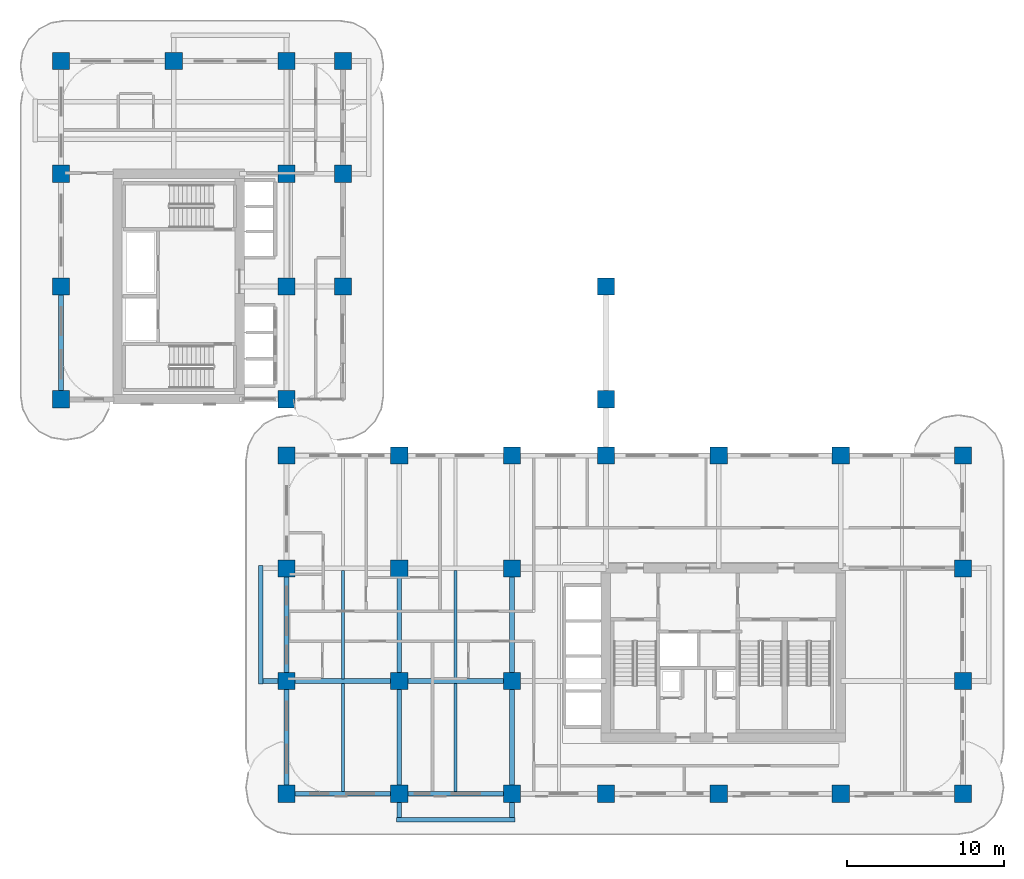
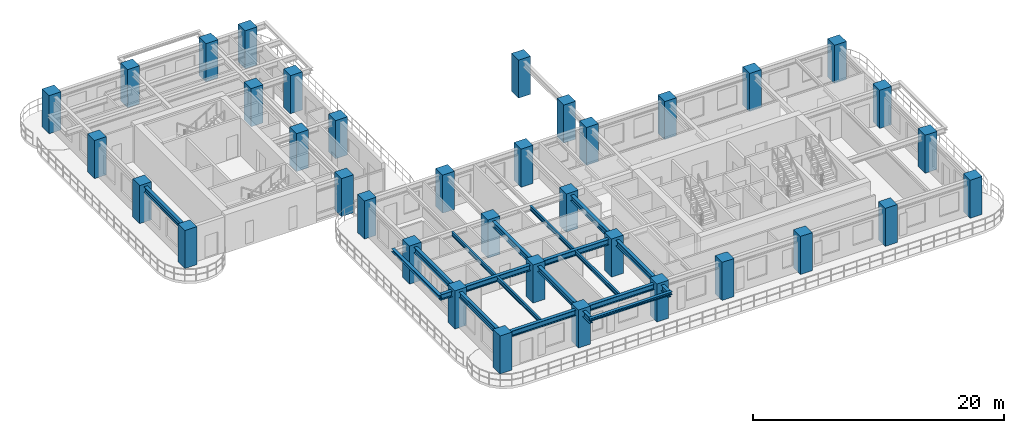
# One storey, part 1 of 19: 36 columns, 17 beams.
"""IFC4 building model written with IfcOpenShell, lengths in metres."""

from ifc_helpers import new_model, si_unit, derived_unit, direction, frame, origin, origin_2d, place, context, subcontext, project, spatial, rectangle, i_section, extrude, source, transform, mapped, material, material_profile, profile_set, type_object, type_shapes, element, save


model = new_model("IFC4")

# Units and contexts
model_context = context("Model", 3, precision=1e-05, world=origin(), true_north=direction((0.0, 1.0)))
body_context = subcontext(model_context, "Body", "Model", "MODEL_VIEW")
ifc_project = project(units=[si_unit("LENGTHUNIT", "METRE"), si_unit("AREAUNIT", "SQUARE_METRE"), si_unit("VOLUMEUNIT", "CUBIC_METRE"), si_unit("PLANEANGLEUNIT", "RADIAN"), si_unit("MASSUNIT", "GRAM", prefix="KILO"), si_unit("THERMODYNAMICTEMPERATUREUNIT", "KELVIN"), si_unit("POWERUNIT", "WATT"), derived_unit("THERMALTRANSMITTANCEUNIT", [(si_unit("POWERUNIT", "WATT"), 1), (si_unit("AREAUNIT", "SQUARE_METRE"), -1), (si_unit("THERMODYNAMICTEMPERATUREUNIT", "KELVIN"), -1)])], contexts=[model_context])

# Site, building, storey
site_placement = place(None, origin())
site = spatial("IfcSite", under=ifc_project, at=site_placement, CompositionType="ELEMENT")
building_placement = place(site_placement, origin())
building = spatial("IfcBuilding", under=site, at=building_placement, Name="Zahravan Archway Hotel and Residences", CompositionType="ELEMENT")
storey_placement = place(building_placement, frame((0.0, 0.0, 39.800048828125)))
storey = spatial("IfcBuildingStorey", under=building, at=storey_placement, Name="L08", CompositionType="ELEMENT", Elevation=39.800048828125)

# Columns
ifc_material_1 = material(Name="Concrete C70/85", Category="concrete")
ifc_material_profile_1 = material_profile(ifc_material_1, rectangle(XDim=1.10009765625, YDim=1.10009765625, at=origin_2d()), Name="RC 1100x1100", Category="concrete")
ifc_profile_set_1 = profile_set([ifc_material_profile_1], Name="Concrete C70/85")
column_type = type_object("IfcColumnType", Name="COL-RC-1100", PredefinedType="COLUMN", material=ifc_profile_set_1)
shared_shape_1 = source(origin(), body_context, "Body", "SweptSolid", [
    extrude(rectangle(XDim=1.10009765625, YDim=1.10009765625, at=origin_2d()), origin(), (0.0, 0.0, 1.0), 3.699951171875),
])
for number, where, z_axis, x_axis, name in (
    (1, (0.0, 25.199951171875, 0.0), (0.0, 0.0, 1.0), (1.0, 0.0, 0.0), "L08 Column 1-E"),
    (2, (0.0, 32.39990234375, 0.0), (0.0, 0.0, 1.0), (1.0, 0.0, 0.0), "L08 Column 1-F"),
    (3, (0.0, 39.60009765625, 0.0), (0.0, 0.0, 1.0), (1.0, 0.0, 0.0), "L08 Column 1-G"),
    (4, (0.0, 46.800048828125, 0.0), (0.0, 0.0, 1.0), (1.0, 0.0, 0.0), "L08 Column 1-H"),
    (5, (7.199951171875, 46.800048828125, 0.0), (0.0, 0.0, 1.0), (1.0, 0.0, 0.0), "L08 Column 2-H"),
    (6, (14.39990234375, 0.0, 0.0), (0.0, 0.0, 1.0), (1.0, 0.0, 0.0), "L08 Column 3-A"),
    (7, (14.39990234375, 7.199951171875, 0.0), (0.0, 0.0, 1.0), (1.0, 0.0, 0.0), "L08 Column 3-B"),
    (8, (14.39990234375, 14.39990234375, 0.0), (0.0, 0.0, 1.0), (1.0, 0.0, 0.0), "L08 Column 3-C"),
    (9, (14.39990234375, 21.60009765625, 0.0), (0.0, 0.0, 1.0), (1.0, 0.0, 0.0), "L08 Column 3-D"),
    (10, (14.39990234375, 25.199951171875, 0.0), (0.0, 0.0, 1.0), (1.0, 0.0, 0.0), "L08 Column 3-E"),
    (11, (14.39990234375, 32.39990234375, 0.0), (0.0, 0.0, 1.0), (1.0, 0.0, 0.0), "L08 Column 3-F"),
    (12, (14.39990234375, 39.60009765625, 0.0), (0.0, 0.0, 1.0), (1.0, 0.0, 0.0), "L08 Column 3-G"),
    (13, (14.39990234375, 46.800048828125, 0.0), (0.0, 0.0, 1.0), (1.0, 0.0, 0.0), "L08 Column 3-H"),
    (14, (21.60009765625, 0.0, 0.0), (0.0, 0.0, 1.0), (1.0, 0.0, 0.0), "L08 Column 4-A"),
    (15, (21.60009765625, 7.199951171875, 0.0), (0.0, 0.0, 1.0), (1.0, 0.0, 0.0), "L08 Column 4-B"),
    (16, (21.60009765625, 14.39990234375, 0.0), (0.0, 0.0, 1.0), (1.0, 0.0, 0.0), "L08 Column 4-C"),
    (17, (21.60009765625, 21.60009765625, 0.0), (0.0, 0.0, 1.0), (1.0, 0.0, 0.0), "L08 Column 4-D"),
    (18, (28.800048828125, 0.0, 0.0), (0.0, 0.0, 1.0), (1.0, 0.0, 0.0), "L08 Column 5-A"),
    (19, (28.800048828125, 7.199951171875, 0.0), (0.0, 0.0, 1.0), (1.0, 0.0, 0.0), "L08 Column 5-B"),
    (20, (28.800048828125, 14.39990234375, 0.0), (0.0, 0.0, 1.0), (1.0, 0.0, 0.0), "L08 Column 5-C"),
    (21, (28.800048828125, 21.60009765625, 0.0), (0.0, 0.0, 1.0), (1.0, 0.0, 0.0), "L08 Column 5-D"),
    (22, (34.800048828125, 0.0, 0.0), (0.0, 0.0, 1.0), (1.0, 0.0, 0.0), "L08 Column 6-A"),
    (23, (34.800048828125, 21.60009765625, 0.0), (0.0, 0.0, 1.0), (1.0, 0.0, 0.0), "L08 Column 6-D"),
    (24, (42.0, 0.0, 0.0), (0.0, 0.0, 1.0), (1.0, 0.0, 0.0), "L08 Column 7-A"),
    (25, (42.0, 21.60009765625, 0.0), (0.0, 0.0, 1.0), (1.0, 0.0, 0.0), "L08 Column 7-D"),
    (26, (49.800048828125, 0.0, 0.0), (0.0, 0.0, 1.0), (1.0, 0.0, 0.0), "L08 Column 8-A"),
    (27, (49.800048828125, 21.60009765625, 0.0), (0.0, 0.0, 1.0), (1.0, 0.0, 0.0), "L08 Column 8-D"),
    (28, (57.60009765625, 0.0, 0.0), (0.0, 0.0, 1.0), (1.0, 0.0, 0.0), "L08 Column 9-A"),
    (29, (57.60009765625, 7.199951171875, 0.0), (0.0, 0.0, 1.0), (1.0, 0.0, 0.0), "L08 Column 9-B"),
    (30, (57.60009765625, 14.39990234375, 0.0), (0.0, 0.0, 1.0), (1.0, 0.0, 0.0), "L08 Column 9-C"),
    (31, (57.60009765625, 21.60009765625, 0.0), (0.0, 0.0, 1.0), (1.0, 0.0, 0.0), "L08 Column 9-D"),
    (32, (18.0, 32.39990234375, 0.0), (0.0, 0.0, 1.0), (1.0, 0.0, 0.0), "L08 Column 3B-F"),
    (33, (18.0, 39.60009765625, 0.0), (0.0, 0.0, 1.0), (1.0, 0.0, 0.0), "L08 Column 3B-G"),
    (34, (18.0, 46.800048828125, 0.0), (0.0, 0.0, 1.0), (1.0, 0.0, 0.0), "L08 Column 3B-H"),
    (35, (34.800048828125, 25.199951171875, 0.0), (0.0, 0.0, 1.0), (1.0, 0.0, 0.0), "L08 Column 6-E"),
    (36, (34.800048828125, 32.39990234375, 0.0), (0.0, 0.0, 1.0), (1.0, 0.0, 0.0), "L08 Column 6-F"),
):
    element("IfcColumn", number, at=place(storey_placement, frame(where, z_axis=z_axis, x_axis=x_axis)), inside=storey, type_object=column_type, Name=name, PredefinedType="COLUMN", context=body_context, shape_type="MappedRepresentation", body=[
        mapped(shared_shape_1, transform((0.0, 0.0, 0.0), scale=1.0)),
    ])

# Beams
ifc_material_2 = material(Name="Structural Steel S355JR", Category="steel")
ifc_material_profile_2 = material_profile(ifc_material_2, i_section(OverallWidth=0.280029296875, OverallDepth=0.280029296875, WebThickness=0.010498046875, FlangeThickness=0.01806640625, FilletRadius=0.02392578125, at=origin_2d()), Name="HEB 280", Category="steel")
ifc_profile_set_2 = profile_set([ifc_material_profile_2], Name="Structural Steel S355JR")
beam_type_1 = type_object("IfcBeamType", Name="BM-SPN-HEB280", PredefinedType="SPANDREL", material=ifc_profile_set_2)
shared_shape_2 = source(origin(), body_context, "Body", "SweptSolid", [
    extrude(i_section(OverallWidth=0.280029296875, OverallDepth=0.280029296875, WebThickness=0.010498046875, FlangeThickness=0.01806640625, FilletRadius=0.02392578125, at=origin_2d()), origin(), (0.0, 0.0, 1.0), 7.56005859375),
])
type_shapes(beam_type_1, [shared_shape_2])
for number, where, z_axis, x_axis, name in (
    (37, (12.75, 7.02001953125, 3.31005859375), (0.0, 1.0, 0.0), (-1.0, 0.0, 0.0), "L09 WA Balcony Edge Spandrel"),
    (38, (21.419921875, -1.64990234375, 3.31005859375), (1.0, 0.0, 0.0), (0.0, 1.0, 0.0), "L09 SA Balcony Edge Spandrel"),
):
    element("IfcBeam", number, at=place(storey_placement, frame(where, z_axis=z_axis, x_axis=x_axis)), inside=storey, type_object=beam_type_1, Name=name, PredefinedType="SPANDREL", context=body_context, shape_type="MappedRepresentation", body=[
        mapped(shared_shape_2, transform((0.0, 0.0, 0.0), scale=1.0)),
    ])
ifc_material_profile_3 = material_profile(ifc_material_2, i_section(OverallWidth=0.300048828125, OverallDepth=0.550048828125, WebThickness=0.014892578125, FlangeThickness=0.029052734375, FilletRadius=0.027099609375, at=origin_2d()), Name="HEB 550", Category="steel")
ifc_profile_set_3 = profile_set([ifc_material_profile_3], Name="Structural Steel S355JR")
beam_type_2 = type_object("IfcBeamType", Name="BM-PRI-HEB550", PredefinedType="BEAM", material=ifc_profile_set_3)
shared_shape_3 = source(origin(), body_context, "Body", "SweptSolid", [
    extrude(i_section(OverallWidth=0.300048828125, OverallDepth=0.550048828125, WebThickness=0.014892578125, FlangeThickness=0.029052734375, FilletRadius=0.027099609375, at=origin_2d()), origin(), (0.0, 0.0, 1.0), 7.2001953125),
])
type_shapes(beam_type_2, [shared_shape_3])
beam_1_placement = place(storey_placement, frame((14.39990234375, 0.0, 3.175048828125), z_axis=(1.0, 0.0, 0.0), x_axis=(0.0, 1.0, 0.0)))
element("IfcBeam", 39, at=beam_1_placement, inside=storey, type_object=beam_type_2, Name="L08 Primary Girder EW-01", PredefinedType="BEAM", context=body_context, shape_type="MappedRepresentation", body=[
    mapped(shared_shape_3, transform((0.0, 0.0, 0.0), scale=1.0)),
])
shared_shape_4 = source(origin(), body_context, "Body", "SweptSolid", [
    extrude(i_section(OverallWidth=0.300048828125, OverallDepth=0.550048828125, WebThickness=0.014892578125, FlangeThickness=0.029052734375, FilletRadius=0.027099609375, at=origin_2d()), origin(), (0.0, 0.0, 1.0), 7.199951171875),
])
for number, where, z_axis, x_axis, name in (
    (40, (21.60009765625, 0.0, 3.175048828125), (1.0, 0.0, 0.0), (0.0, 1.0, 0.0), "L08 Primary Girder EW-02"),
    (41, (21.60009765625, 7.199951171875, 3.175048828125), (1.0, 0.0, 0.0), (0.0, 1.0, 0.0), "L08 Primary Girder EW-08"),
    (42, (0.0, 25.199951171875, 3.175048828125), (0.0, 1.0, 0.0), (-1.0, 0.0, 0.0), "L08 Primary Girder NS-27"),
    (43, (14.39990234375, 0.0, 3.175048828125), (0.0, 1.0, 0.0), (-1.0, 0.0, 0.0), "L08 Primary Girder NS-31"),
    (44, (14.39990234375, 7.199951171875, 3.175048828125), (0.0, 1.0, 0.0), (-1.0, 0.0, 0.0), "L08 Primary Girder NS-32"),
    (45, (21.60009765625, 7.199951171875, 3.175048828125), (0.0, 1.0, 0.0), (-1.0, 0.0, 0.0), "L08 Primary Girder NS-38"),
    (46, (28.800048828125, 7.199951171875, 3.175048828125), (0.0, 1.0, 0.0), (-1.0, 0.0, 0.0), "L08 Primary Girder NS-41"),
):
    element("IfcBeam", number, at=place(storey_placement, frame(where, z_axis=z_axis, x_axis=x_axis)), inside=storey, type_object=beam_type_2, Name=name, PredefinedType="BEAM", context=body_context, shape_type="MappedRepresentation", body=[
        mapped(shared_shape_4, transform((0.0, 0.0, 0.0), scale=1.0)),
    ])
shared_shape_5 = source(origin(), body_context, "Body", "SweptSolid", [
    extrude(i_section(OverallWidth=0.300048828125, OverallDepth=0.550048828125, WebThickness=0.014892578125, FlangeThickness=0.029052734375, FilletRadius=0.027099609375, at=origin_2d()), origin(), (0.0, 0.0, 1.0), 8.85009765625),
])
beam_2_placement = place(storey_placement, frame((12.75, 7.199951171875, 3.175048828125), z_axis=(1.0, 0.0, 0.0), x_axis=(0.0, 1.0, 0.0)))
element("IfcBeam", 47, at=beam_2_placement, inside=storey, type_object=beam_type_2, Name="L08 Primary Girder EW-07", PredefinedType="BEAM", context=body_context, shape_type="MappedRepresentation", body=[
    mapped(shared_shape_5, transform((0.0, 0.0, 0.0), scale=1.0)),
])
shared_shape_6 = source(origin(), body_context, "Body", "SweptSolid", [
    extrude(i_section(OverallWidth=0.300048828125, OverallDepth=0.550048828125, WebThickness=0.014892578125, FlangeThickness=0.029052734375, FilletRadius=0.027099609375, at=origin_2d()), origin(), (0.0, 0.0, 1.0), 8.849853515625),
])
for number, where, z_axis, x_axis, name in (
    (48, (21.60009765625, -1.64990234375, 3.175048828125), (0.0, 1.0, 0.0), (-1.0, 0.0, 0.0), "L08 Primary Girder NS-37"),
    (49, (28.800048828125, -1.64990234375, 3.175048828125), (0.0, 1.0, 0.0), (-1.0, 0.0, 0.0), "L08 Primary Girder NS-40"),
):
    element("IfcBeam", number, at=place(storey_placement, frame(where, z_axis=z_axis, x_axis=x_axis)), inside=storey, type_object=beam_type_2, Name=name, PredefinedType="BEAM", context=body_context, shape_type="MappedRepresentation", body=[
        mapped(shared_shape_6, transform((0.0, 0.0, 0.0), scale=1.0)),
    ])
ifc_material_profile_4 = material_profile(ifc_material_2, i_section(OverallWidth=0.179931640625, OverallDepth=0.39990234375, WebThickness=0.008544921875, FlangeThickness=0.013427734375, FilletRadius=0.02099609375, at=origin_2d()), Name="IPE 400", Category="steel")
ifc_profile_set_4 = profile_set([ifc_material_profile_4], Name="Structural Steel S355JR")
beam_type_3 = type_object("IfcBeamType", Name="BM-JST-IPE400", PredefinedType="JOIST", material=ifc_profile_set_4)
shared_shape_7 = source(origin(), body_context, "Body", "SweptSolid", [
    extrude(i_section(OverallWidth=0.179931640625, OverallDepth=0.39990234375, WebThickness=0.008544921875, FlangeThickness=0.013427734375, FilletRadius=0.02099609375, at=origin_2d()), origin(), (0.0, 0.0, 1.0), 6.904052734375),
])
type_shapes(beam_type_3, [shared_shape_7])
for number, where, z_axis, x_axis, name in (
    (50, (18.0, 0.14794921875, 3.25), (0.0, 1.0, 0.0), (-1.0, 0.0, 0.0), "L08 Composite Floor Joist 01"),
    (51, (25.199951171875, 0.14794921875, 3.25), (0.0, 1.0, 0.0), (-1.0, 0.0, 0.0), "L08 Composite Floor Joist 02"),
    (52, (18.0, 7.347900390625, 3.25), (0.0, 1.0, 0.0), (-1.0, 0.0, 0.0), "L08 Composite Floor Joist 05"),
    (53, (25.199951171875, 7.347900390625, 3.25), (0.0, 1.0, 0.0), (-1.0, 0.0, 0.0), "L08 Composite Floor Joist 06"),
):
    element("IfcBeam", number, at=place(storey_placement, frame(where, z_axis=z_axis, x_axis=x_axis)), inside=storey, type_object=beam_type_3, Name=name, PredefinedType="JOIST", context=body_context, shape_type="MappedRepresentation", body=[
        mapped(shared_shape_7, transform((0.0, 0.0, 0.0), scale=1.0)),
    ])

save(model, "model.ifc")
